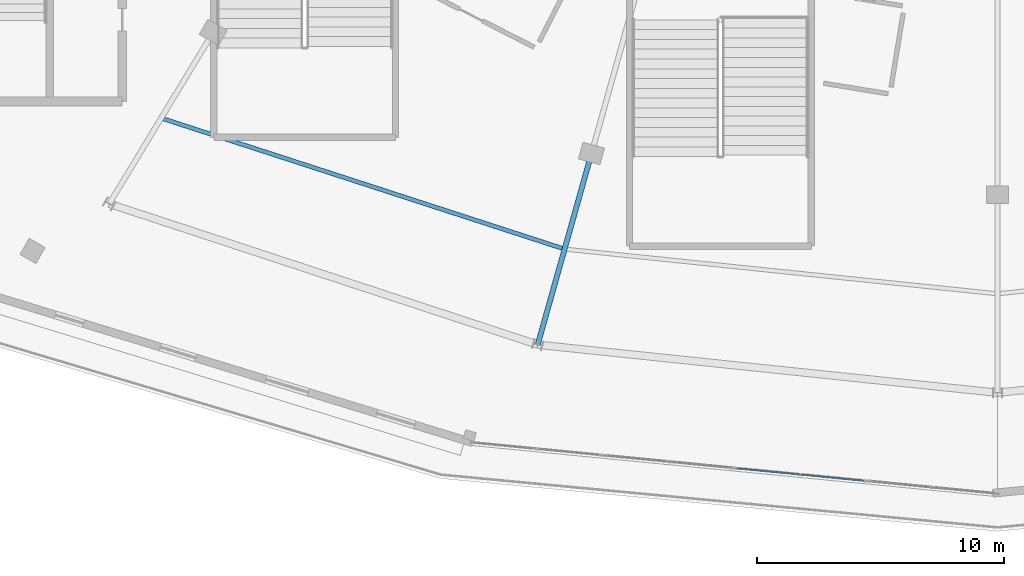
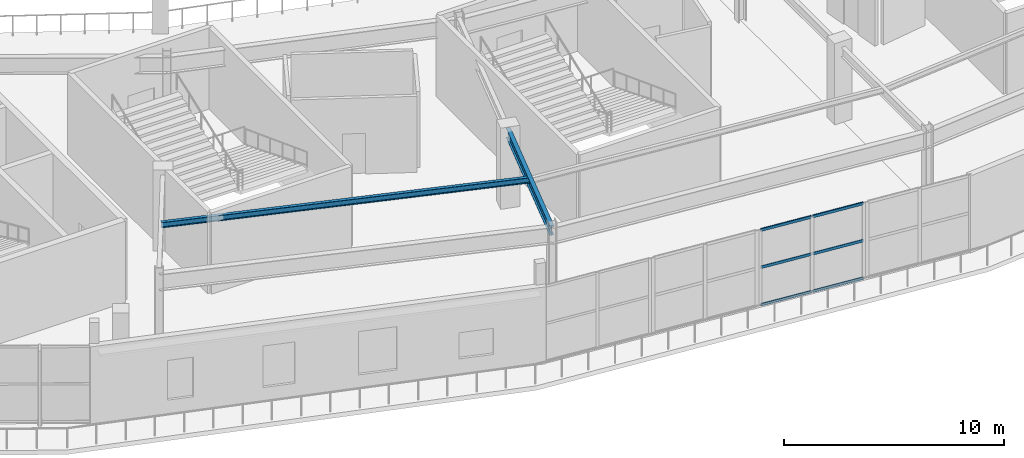
# One storey, part 29 of 123: 6 members, 2 beams, 1 element without a shape of its own.
"""IFC4 building model written with IfcOpenShell, lengths in metres."""

from ifc_helpers import new_model, si_unit, direction, frame, origin, origin_2d, place, context, subcontext, project, spatial, hollow_rectangle, i_section, extrude, material, layer, layer_set, material_profile, profile_set, type_object, element, aggregate, save


model = new_model("IFC4")

# Units and contexts
model_context = context("Model", 3, precision=1e-05, world=origin(), true_north=direction((0.0, 1.0)))
body_context = subcontext(model_context, "Body", "Model", "MODEL_VIEW")
ifc_project = project(units=[si_unit("LENGTHUNIT", "METRE"), si_unit("AREAUNIT", "SQUARE_METRE"), si_unit("VOLUMEUNIT", "CUBIC_METRE"), si_unit("PLANEANGLEUNIT", "RADIAN"), si_unit("MASSUNIT", "GRAM", prefix="KILO")], contexts=[model_context])

# Site, building, storey
site_placement = place(None, origin())
site = spatial("IfcSite", under=ifc_project, at=site_placement, CompositionType="ELEMENT")
building_placement = place(site_placement, origin())
building = spatial("IfcBuilding", under=site, at=building_placement, Name="Kalgoora Escarpment Arena", CompositionType="ELEMENT")
storey_placement = place(building_placement, frame((0.0, 0.0, 9.89990234375)))
storey = spatial("IfcBuildingStorey", under=building, at=storey_placement, Name="L02", CompositionType="ELEMENT", Elevation=9.89990234375)

# Beams
ifc_material_1 = material(Name="Structural steel AS/NZS 3679 (300 MPa)", Category="steel")
ifc_material_profile_1 = material_profile(ifc_material_1, i_section(OverallWidth=0.166015625, OverallDepth=0.306884765625, WebThickness=0.006591796875, FlangeThickness=0.01171875, at=origin_2d()))
ifc_profile_set_1 = profile_set([ifc_material_profile_1], Name="Structural steel AS/NZS 3679 (300 MPa)")
beam_type_1 = type_object("IfcBeamType", Name="BM-BEAM-310UB46.2", PredefinedType="BEAM", material=ifc_profile_set_1)
beam_1_placement = place(storey_placement, frame((58.60009765625, 18.1005859375, 4.066650390625), z_axis=(0.951103123122, -0.308873516489, 0.0), x_axis=(0.308873516489, 0.951103123122, 0.0)))
element("IfcBeam", 1, at=beam_1_placement, inside=storey, type_object=beam_type_1, Name="L02 Concourse secondary ring beam 310UB46.2", PredefinedType="BEAM", context=body_context, shape_type="SweptSolid", body=[
    extrude(i_section(OverallWidth=0.166015625, OverallDepth=0.306884765625, WebThickness=0.006591796875, FlangeThickness=0.01171875, at=origin_2d()), origin(), (0.0, 0.0, 1.0), 17.141845703125),
])
ifc_material_2 = material(Name="Structural steel AS/NZS 3679 (300 MPa)", Category="steel")
ifc_material_profile_2 = material_profile(ifc_material_2, i_section(OverallWidth=0.208984375, OverallDepth=0.528076171875, WebThickness=0.009521484375, FlangeThickness=0.01318359375, at=origin_2d()))
ifc_profile_set_2 = profile_set([ifc_material_profile_2], Name="Structural steel AS/NZS 3679 (300 MPa)")
beam_type_2 = type_object("IfcBeamType", Name="BM-GIRDER-530UB82.0", PredefinedType="USERDEFINED", material=ifc_profile_set_2)
beam_2_placement = place(storey_placement, frame((75.990966796875, 16.669677734375, 3.9560546875), z_axis=(-0.27082660355, -0.962628147734, 0.0), x_axis=(0.962628147734, -0.27082660355, 0.0)))
element("IfcBeam", 2, at=beam_2_placement, inside=storey, type_object=beam_type_2, Name="L02 Radial concourse girder 530UB82.0", ObjectType="GIRDER", PredefinedType="USERDEFINED", context=body_context, shape_type="SweptSolid", body=[
    extrude(i_section(OverallWidth=0.208984375, OverallDepth=0.528076171875, WebThickness=0.009521484375, FlangeThickness=0.01318359375, at=origin_2d()), origin(), (0.0, 0.0, 1.0), 8.027587890625),
])

# Curtain wall, members
ifc_material_3 = material(Name=" Champagne anodised aluminium & double-glazed low-E", Category="aluminium")
ifc_layer = layer(ifc_material_3, 0.166015625)
ifc_layer_set = layer_set([ifc_layer], Name="CW-UNIT-09")
curtain_wall_type = type_object("IfcCurtainWallType", Name="CW-UNIT-09", PredefinedType="NOTDEFINED", material=ifc_layer_set)
curtain_wall_placement = place(storey_placement, origin())
curtain_wall = element("IfcCurtainWall", 3, at=curtain_wall_placement, inside=storey, type_object=curtain_wall_type, Name="L02 unitised facade curtain wall 048", PredefinedType="NOTDEFINED")
ifc_material_4 = material(Name="Anodised aluminium 6063-T6", Category="aluminium")
ifc_material_profile_3 = material_profile(ifc_material_4, hollow_rectangle(XDim=0.06005859375, YDim=0.14990234375, WallThickness=0.00341796875, at=origin_2d()))
ifc_profile_set_3 = profile_set([ifc_material_profile_3], Name="Anodised aluminium 6063-T6")
member_type = type_object("IfcMemberType", Name="MEM-CW-TRAN-150", PredefinedType="USERDEFINED", material=ifc_profile_set_3)
member_1_placement = place(storey_placement, frame((86.978515625, 3.447998046875, 0.050048828125), z_axis=(-0.995293308762, 0.096908356368, 0.0), x_axis=(-0.096908356368, -0.995293308762, 0.0)))
member_1 = element("IfcMember", 4, at=member_1_placement, type_object=member_type, Name="CW-09 transom 1.1", ObjectType="TRANSOM", PredefinedType="USERDEFINED", context=body_context, shape_type="SweptSolid", body=[
    extrude(hollow_rectangle(XDim=0.06005859375, YDim=0.14990234375, WallThickness=0.00341796875, at=origin_2d()), origin(), (0.0, 0.0, 1.0), 2.5244140625),
])
member_2_placement = place(storey_placement, frame((86.978515625, 3.447998046875, 2.132568359375), z_axis=(-0.995293308762, 0.096908356368, 0.0), x_axis=(-0.096908356368, -0.995293308762, 0.0)))
member_2 = element("IfcMember", 5, at=member_2_placement, type_object=member_type, Name="CW-09 transom 1.2", ObjectType="TRANSOM", PredefinedType="USERDEFINED", context=body_context, shape_type="SweptSolid", body=[
    extrude(hollow_rectangle(XDim=0.06005859375, YDim=0.14990234375, WallThickness=0.00341796875, at=origin_2d()), origin(), (0.0, 0.0, 1.0), 2.5244140625),
])
member_3_placement = place(storey_placement, frame((86.978515625, 3.447998046875, 4.195068359375), z_axis=(-0.995293308762, 0.096908356368, 0.0), x_axis=(-0.096908356368, -0.995293308762, 0.0)))
member_3 = element("IfcMember", 6, at=member_3_placement, type_object=member_type, Name="CW-09 transom 1.3", ObjectType="TRANSOM", PredefinedType="USERDEFINED", context=body_context, shape_type="SweptSolid", body=[
    extrude(hollow_rectangle(XDim=0.06005859375, YDim=0.14990234375, WallThickness=0.00341796875, at=origin_2d()), origin(), (0.0, 0.0, 1.0), 2.5244140625),
])
member_4_placement = place(storey_placement, frame((84.4013671875, 3.698974609375, 0.050048828125), z_axis=(-0.995302632609, 0.096812548367, 0.0), x_axis=(-0.096812548367, -0.995302632609, 0.0)))
member_4 = element("IfcMember", 7, at=member_4_placement, type_object=member_type, Name="CW-09 transom 2.1", ObjectType="TRANSOM", PredefinedType="USERDEFINED", context=body_context, shape_type="SweptSolid", body=[
    extrude(hollow_rectangle(XDim=0.06005859375, YDim=0.14990234375, WallThickness=0.00341796875, at=origin_2d()), origin(), (0.0, 0.0, 1.0), 2.5244140625),
])
member_5_placement = place(storey_placement, frame((84.4013671875, 3.698974609375, 2.132568359375), z_axis=(-0.995302632609, 0.096812548367, 0.0), x_axis=(-0.096812548367, -0.995302632609, 0.0)))
member_5 = element("IfcMember", 8, at=member_5_placement, type_object=member_type, Name="CW-09 transom 2.2", ObjectType="TRANSOM", PredefinedType="USERDEFINED", context=body_context, shape_type="SweptSolid", body=[
    extrude(hollow_rectangle(XDim=0.06005859375, YDim=0.14990234375, WallThickness=0.00341796875, at=origin_2d()), origin(), (0.0, 0.0, 1.0), 2.5244140625),
])
member_6_placement = place(storey_placement, frame((84.4013671875, 3.698974609375, 4.195068359375), z_axis=(-0.995302632609, 0.096812548367, 0.0), x_axis=(-0.096812548367, -0.995302632609, 0.0)))
member_6 = element("IfcMember", 9, at=member_6_placement, type_object=member_type, Name="CW-09 transom 2.3", ObjectType="TRANSOM", PredefinedType="USERDEFINED", context=body_context, shape_type="SweptSolid", body=[
    extrude(hollow_rectangle(XDim=0.06005859375, YDim=0.14990234375, WallThickness=0.00341796875, at=origin_2d()), origin(), (0.0, 0.0, 1.0), 2.5244140625),
])
aggregate(curtain_wall, [member_1, member_2, member_3, member_4, member_5, member_6])

save(model, "model.ifc")
